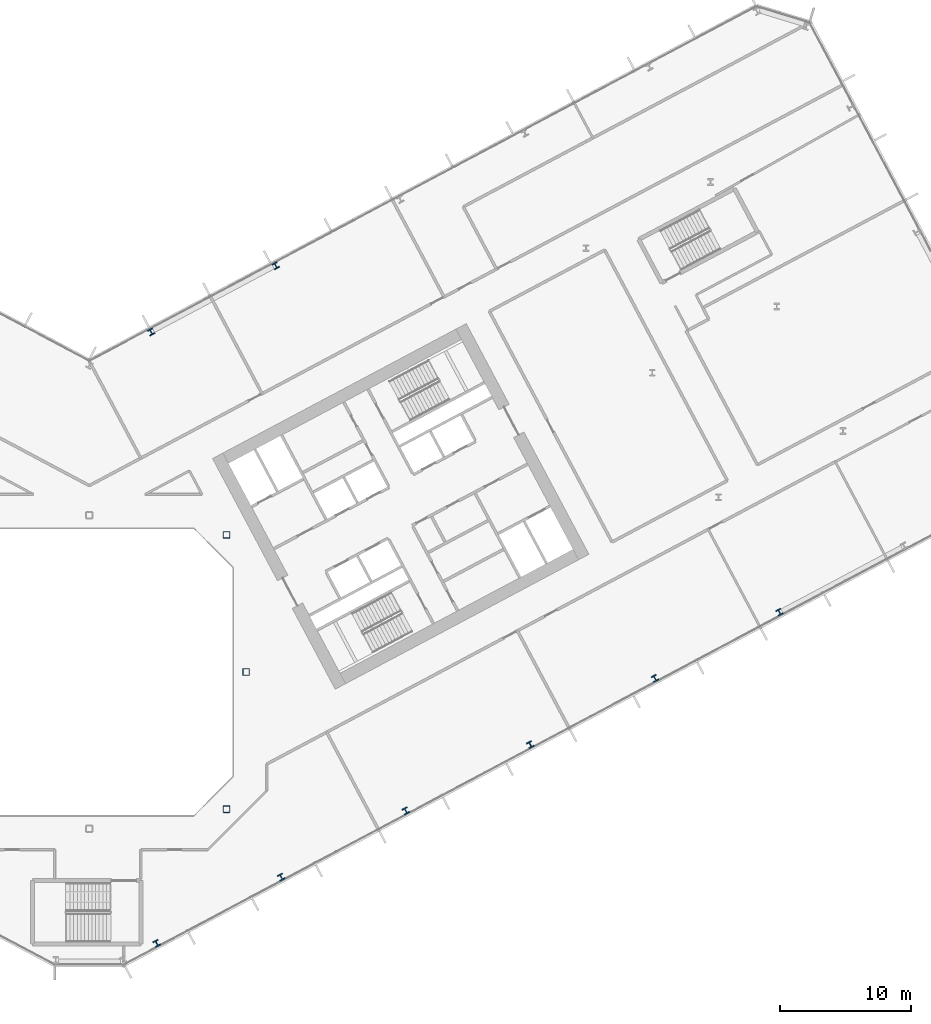
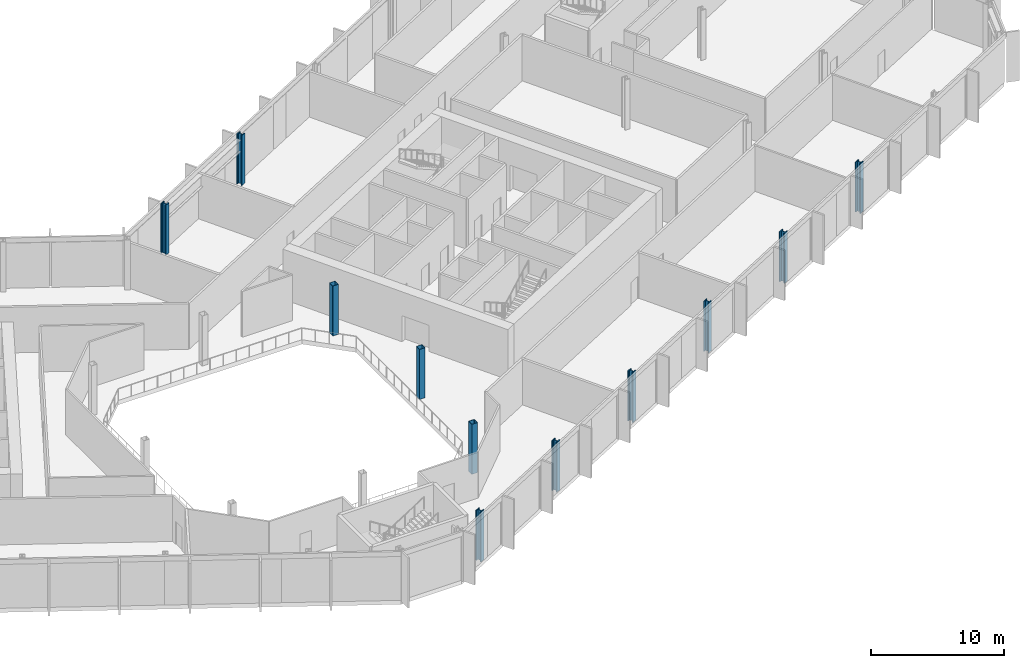
# One storey, part 3 of 31: 11 columns.
"""IFC4 building model written with IfcOpenShell, lengths in metres."""

from ifc_helpers import new_model, si_unit, direction, frame, origin, origin_2d, place, context, subcontext, project, spatial, hollow_rectangle, i_section, extrude, material, material_profile, profile_set, type_object, element, save


model = new_model("IFC4")

# Units and contexts
model_context = context("Model", 3, precision=1e-05, world=origin(), true_north=direction((0.0, 1.0)))
body_context = subcontext(model_context, "Body", "Model", "MODEL_VIEW")
ifc_project = project(units=[si_unit("LENGTHUNIT", "METRE"), si_unit("AREAUNIT", "SQUARE_METRE"), si_unit("VOLUMEUNIT", "CUBIC_METRE"), si_unit("PLANEANGLEUNIT", "RADIAN"), si_unit("MASSUNIT", "GRAM", prefix="KILO")], contexts=[model_context])

# Site, building, storey
site_placement = place(None, origin())
site = spatial("IfcSite", under=ifc_project, at=site_placement, CompositionType="ELEMENT")
building_placement = place(site_placement, origin())
building = spatial("IfcBuilding", under=site, at=building_placement, Name="Cormorant Relay Tower", CompositionType="ELEMENT")
storey_placement = place(building_placement, frame((0.0, 0.0, 103.0)))
storey = spatial("IfcBuildingStorey", under=building, at=storey_placement, Name="L20", CompositionType="ELEMENT", Elevation=103.0)

# Columns
ifc_material_1 = material(Name="Steel ASTM A500 Grade C (Fy 345 MPa)", Category="steel")
ifc_material_profile_1 = material_profile(ifc_material_1, hollow_rectangle(XDim=0.508056640625, YDim=0.508056640625, WallThickness=0.020751953125, InnerFilletRadius=0.01025390625, OuterFilletRadius=0.031005859375, at=origin_2d()), Name="HSS508x508x21")
ifc_profile_set_1 = profile_set([ifc_material_profile_1], Name="Steel ASTM A500 Grade C (Fy 345 MPa)")
column_type_1 = type_object("IfcColumnType", Name="Column HSS508x508x21", PredefinedType="COLUMN", material=ifc_profile_set_1)
for number, where, z_axis, x_axis, name in (
    (1, (10.5, -10.5, 0.0), (0.0, 0.0, 1.0), (1.0, 0.0, 0.0), "Column L20-010"),
    (2, (12.0, 0.0, 0.0), (0.0, 0.0, 1.0), (1.0, 0.0, 0.0), "Column L20-016"),
    (3, (10.5, 10.5, 0.0), (0.0, 0.0, 1.0), (1.0, 0.0, 0.0), "Column L20-023"),
):
    element("IfcColumn", number, at=place(storey_placement, frame(where, z_axis=z_axis, x_axis=x_axis)), inside=storey, type_object=column_type_1, Name=name, PredefinedType="COLUMN", context=body_context, shape_type="SweptSolid", body=[
        extrude(hollow_rectangle(XDim=0.508056640625, YDim=0.508056640625, WallThickness=0.020751953125, InnerFilletRadius=0.01025390625, OuterFilletRadius=0.031005859375, at=origin_2d()), origin(), (0.0, 0.0, 1.0), 4.60009765625),
    ])
ifc_material_2 = material(Name="Steel ASTM A992 (Fy 345 MPa)", Category="steel")
ifc_material_profile_2 = material_profile(ifc_material_2, i_section(OverallWidth=0.42431640625, OverallDepth=0.47509765625, WebThickness=0.0478515625, FlangeThickness=0.0771484375, FilletRadius=0.014892578125, at=origin_2d()), Name="W360x634")
ifc_profile_set_2 = profile_set([ifc_material_profile_2], Name="Steel ASTM A992 (Fy 345 MPa)")
column_type_2 = type_object("IfcColumnType", Name="Column W360x634", PredefinedType="COLUMN", material=ifc_profile_set_2)
for number, where, z_axis, x_axis, name in (
    (4, (5.155029296875, -20.77099609375, 0.0), (0.0, 0.0, 1.0), (0.882947592859, 0.469471562786, 0.0), "Column L20-003"),
    (5, (14.69091796875, -15.700927734375, 0.0), (0.0, 0.0, 1.0), (0.882947592859, 0.469471562786, 0.0), "Column L20-005"),
    (6, (24.22705078125, -10.631103515625, 0.0), (0.0, 0.0, 1.0), (0.882947592859, 0.469471562786, 0.0), "Column L20-008"),
    (7, (33.761962890625, -5.56005859375, 0.0), (0.0, 0.0, 1.0), (0.882947592859, 0.469471562786, 0.0), "Column L20-012"),
    (8, (43.298095703125, -0.489990234375, 0.0), (0.0, 0.0, 1.0), (0.882947592859, 0.469471562786, 0.0), "Column L20-014"),
    (9, (52.833984375, 4.580078125, 0.0), (0.0, 0.0, 1.0), (0.882947592859, 0.469471562786, 0.0), "Column L20-019"),
    (10, (4.73388671875, 26.029052734375, 0.0), (0.0, 0.0, 1.0), (-0.882947592859, -0.469471562786, 0.0), "Column L20-035"),
    (11, (14.27001953125, 31.10009765625, 0.0), (0.0, 0.0, 1.0), (-0.882947592859, -0.469471562786, 0.0), "Column L20-039"),
):
    element("IfcColumn", number, at=place(storey_placement, frame(where, z_axis=z_axis, x_axis=x_axis)), inside=storey, type_object=column_type_2, Name=name, PredefinedType="COLUMN", context=body_context, shape_type="SweptSolid", body=[
        extrude(i_section(OverallWidth=0.42431640625, OverallDepth=0.47509765625, WebThickness=0.0478515625, FlangeThickness=0.0771484375, FilletRadius=0.014892578125, at=origin_2d()), origin(), (0.0, 0.0, 1.0), 4.60009765625),
    ])

save(model, "model.ifc")
